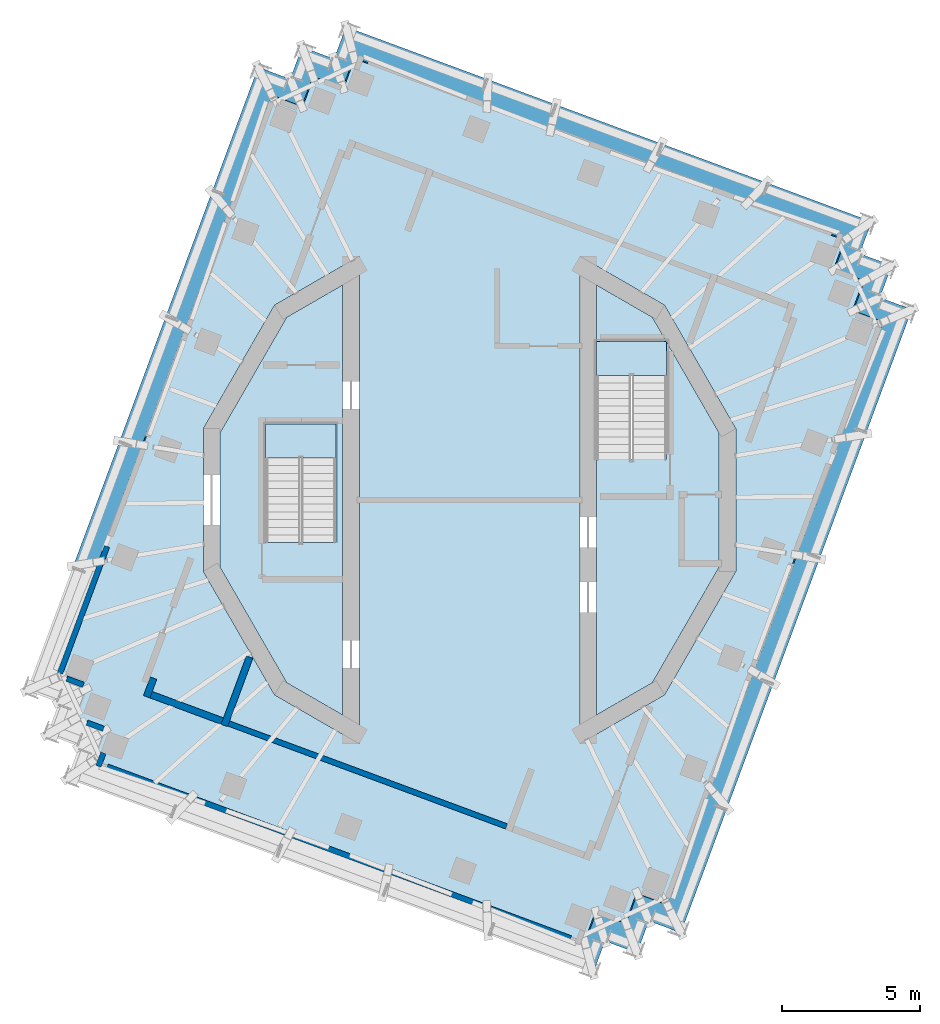
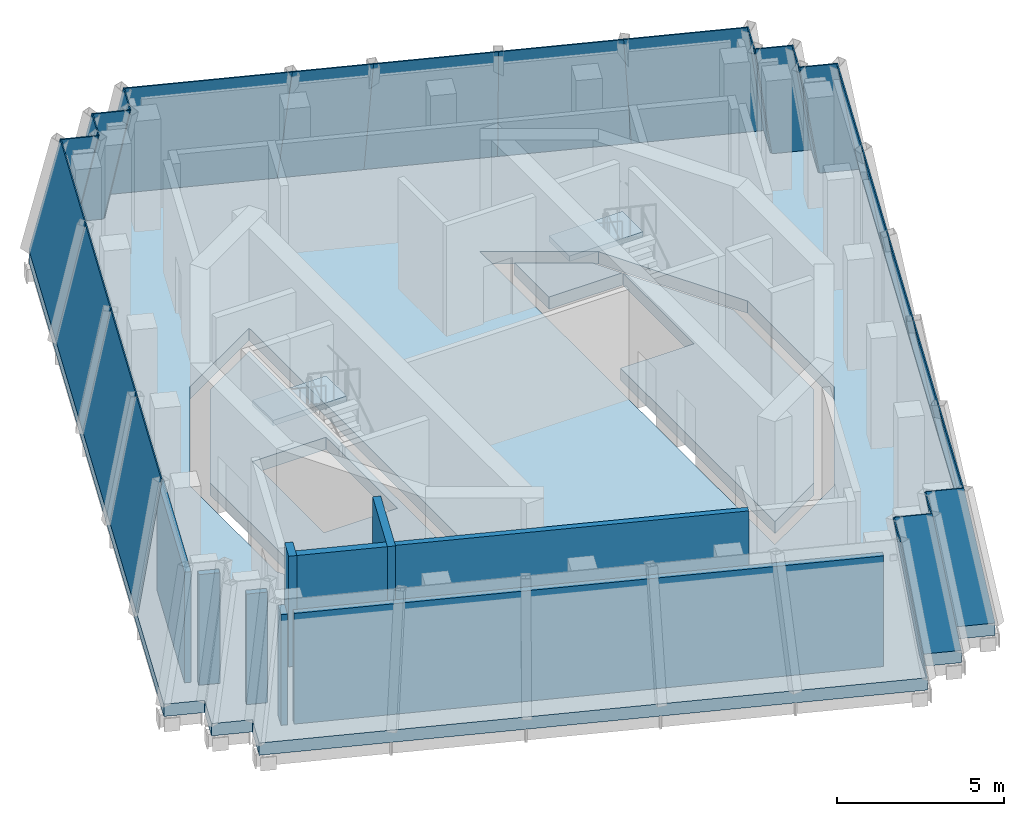
# One storey, part 4 of 12: 26 plates, 9 walls, 6 slabs, 28 elements without a shape of their own.
"""IFC4 building model written with IfcOpenShell, lengths in metres."""

from ifc_helpers import new_model, si_unit, direction, frame, frame_2d, origin, place, context, subcontext, project, spatial, polyline, rectangle, outline, extrude, material, layer, layer_set, type_object, element, aggregate, save


model = new_model("IFC4")

# Units and contexts
model_context = context("Model", 3, precision=1e-05, world=origin(), true_north=direction((0.0, 1.0)))
body_context = subcontext(model_context, "Body", "Model", "MODEL_VIEW")
ifc_project = project(units=[si_unit("LENGTHUNIT", "METRE"), si_unit("AREAUNIT", "SQUARE_METRE"), si_unit("VOLUMEUNIT", "CUBIC_METRE"), si_unit("PLANEANGLEUNIT", "RADIAN"), si_unit("MASSUNIT", "GRAM", prefix="KILO")], contexts=[model_context])

# Site, building, storey
site_placement = place(None, origin())
site = spatial("IfcSite", under=ifc_project, at=site_placement, CompositionType="ELEMENT")
building_placement = place(site_placement, origin())
building = spatial("IfcBuilding", under=site, at=building_placement, Name="Cantera Rosa Tower", CompositionType="ELEMENT")
storey_placement = place(building_placement, frame((0.0, 0.0, 360.699951171875)))
storey = spatial("IfcBuildingStorey", under=building, at=storey_placement, Name="L81", CompositionType="ELEMENT", Elevation=360.699951171875)

# Curtain wall, plate
ifc_material_1 = material(Name="Aluminium frame with clear glass", Category="aluminium")
curtain_wall_type = type_object("IfcCurtainWallType", Name="CW4 CROWN GLAZING", PredefinedType="NOTDEFINED", material=ifc_material_1)
curtain_wall_1_placement = place(storey_placement, origin())
curtain_wall_1 = element("IfcCurtainWall", 1, at=curtain_wall_1_placement, inside=storey, type_object=curtain_wall_type, Name="CW4 L81-01", PredefinedType="NOTDEFINED")
ifc_material_2 = material(Name="Aluminium frame with clear glass", Category="aluminium")
ifc_layer_1 = layer(ifc_material_2, 0.0400390625)
ifc_layer_set_1 = layer_set([ifc_layer_1], Name="CW-PANEL CROWN 40")
plate_type = type_object("IfcPlateType", Name="CW-PANEL CROWN 40", PredefinedType="CURTAIN_PANEL", material=ifc_layer_set_1)
plate_1_placement = place(storey_placement, frame((14.58642578125, 10.099853515625, 0.0), z_axis=(0.34017104991, 0.917951760352, 0.204078961361), x_axis=(-0.937685706703, 0.347484554244, -2.581984e-06)))
plate_1 = element("IfcPlate", 2, at=plate_1_placement, type_object=plate_type, Name="CROWN GLAZING L81-01", PredefinedType="CURTAIN_PANEL", context=body_context, shape_type="SweptSolid", body=[
    extrude(outline(polyline([(0.0, 0.0), (4.067181764874689, 0.0), (4.460772613821797, 4.596752796866526), (0.6560777668289258, 4.596732034857907), (0.0, 0.0)])), origin(), (0.0, 0.0, -1.0), 0.0400390625),
])
aggregate(curtain_wall_1, [plate_1])

curtain_wall_2_placement = place(storey_placement, origin())
curtain_wall_2 = element("IfcCurtainWall", 3, at=curtain_wall_2_placement, inside=storey, type_object=curtain_wall_type, Name="CW4 L81-02", PredefinedType="NOTDEFINED")
plate_2_placement = place(storey_placement, frame((10.772705078125, 11.51318359375, 0.0), z_axis=(0.340197770796, 0.917941936836, 0.204078605794), x_axis=(-0.937676021887, 0.347510687559, 3.227998e-06)))
plate_2 = element("IfcPlate", 4, at=plate_2_placement, type_object=plate_type, Name="CROWN GLAZING L81-02", PredefinedType="CURTAIN_PANEL", context=body_context, shape_type="SweptSolid", body=[
    extrude(outline(polyline([(0.0, 0.0), (4.067181764691421, 5.551115123125783e-17), (4.198370532758749, 4.596726839894003), (0.39359084729623756, 4.596752796845725), (0.0, 0.0)])), origin(), (0.0, 0.0, -1.0), 0.0400390625),
])
aggregate(curtain_wall_2, [plate_2])

curtain_wall_3_placement = place(storey_placement, origin())
curtain_wall_3 = element("IfcCurtainWall", 5, at=curtain_wall_3_placement, inside=storey, type_object=curtain_wall_type, Name="CW4 L81-03", PredefinedType="NOTDEFINED")
plate_3_placement = place(storey_placement, frame((6.958984375, 12.926513671875, 0.0), z_axis=(0.34013583195, 0.917969015354, 0.204060046733), x_axis=(-0.937699793699, 0.347446538186, 7.00296e-07)))
plate_3 = element("IfcPlate", 6, at=plate_3_placement, type_object=plate_type, Name="CROWN GLAZING L81-03", PredefinedType="CURTAIN_PANEL", context=body_context, shape_type="SweptSolid", body=[
    extrude(outline(polyline([(0.0, 0.0), (4.067096933687429, 5.551115123125783e-17), (3.936165342631296, 4.596719701951504), (0.13124156592572633, 4.5967253331895), (0.0, 0.0)])), origin(), (0.0, 0.0, -1.0), 0.0400390625),
])
aggregate(curtain_wall_3, [plate_3])

curtain_wall_4_placement = place(storey_placement, origin())
curtain_wall_4 = element("IfcCurtainWall", 7, at=curtain_wall_4_placement, inside=storey, type_object=curtain_wall_type, Name="CW4 L81-04", PredefinedType="NOTDEFINED")
plate_4_placement = place(storey_placement, frame((3.145263671875, 14.339599609375, 0.0), z_axis=(0.340150266396, 0.91796092539, 0.20407237865), x_axis=(-0.937693526649, 0.347463451385, -5.72584e-06)))
plate_4 = element("IfcPlate", 8, at=plate_4_placement, type_object=plate_type, Name="CROWN GLAZING L81-04", PredefinedType="CURTAIN_PANEL", context=body_context, shape_type="SweptSolid", body=[
    extrude(outline(polyline([(0.0, 0.0), (2.6375032278931685, 2.7755575615628914e-17), (2.3361925035484066, 4.59674825241806), (-0.1309774271975954, 4.596718395565332), (0.0, 0.0)])), origin(), (0.0, 0.0, -1.0), 0.0400390625),
])
aggregate(curtain_wall_4, [plate_4])

curtain_wall_5_placement = place(storey_placement, origin())
curtain_wall_5 = element("IfcCurtainWall", 9, at=curtain_wall_5_placement, inside=storey, type_object=curtain_wall_type, Name="CW4 L81-05", PredefinedType="NOTDEFINED")
plate_5_placement = place(storey_placement, frame((0.672119140625, 15.256103515625, 0.0), z_axis=(0.340195194644, 0.917947453694, 0.204058084371), x_axis=(-0.937677667609, 0.347506246916, 4.71506e-06)))
plate_5 = element("IfcPlate", 10, at=plate_5_placement, type_object=plate_type, Name="CROWN GLAZING L81-05", PredefinedType="CURTAIN_PANEL", context=body_context, shape_type="SweptSolid", body=[
    extrude(outline(polyline([(0.0, 0.0), (5.497089226585359, 0.0), (4.840998048815104, 4.596697280859012), (-0.30130655633560105, 4.596748524464396), (0.0, 0.0)])), origin(), (0.0, 0.0, -1.0), 0.0400390625),
])
aggregate(curtain_wall_5, [plate_5])

curtain_wall_6_placement = place(storey_placement, origin())
curtain_wall_6 = element("IfcCurtainWall", 11, at=curtain_wall_6_placement, inside=storey, type_object=curtain_wall_type, Name="CW4 L81-06", PredefinedType="NOTDEFINED")
plate_6_placement = place(storey_placement, frame((-4.482421875, 17.166259765625, 0.0), z_axis=(-0.927887105105, 0.343818456561, 0.144271927649), x_axis=(-0.347453927762, -0.937697055595, -3.221777e-06)))
plate_6 = element("IfcPlate", 12, at=plate_6_placement, type_object=plate_type, Name="CROWN GLAZING L81-06", PredefinedType="CURTAIN_PANEL", context=body_context, shape_type="SweptSolid", body=[
    extrude(outline(polyline([(0.0, 0.0), (1.2401140767336585, 0.0), (2.0980532398571086, 4.547583213270778), (0.9378910048794739, 4.547575398356522), (0.0, 0.0)])), origin(), (0.0, 0.0, -1.0), 0.0400390625),
])
aggregate(curtain_wall_6, [plate_6])

curtain_wall_7_placement = place(storey_placement, origin())
curtain_wall_7 = element("IfcCurtainWall", 13, at=curtain_wall_7_placement, inside=storey, type_object=curtain_wall_type, Name="CW4 L81-07", PredefinedType="NOTDEFINED")
plate_7_placement = place(storey_placement, frame((-4.913330078125, 16.00341796875, 0.0), z_axis=(0.341337564024, 0.921091822359, 0.187292611093), x_axis=(-0.93768425949, 0.347488459376, -1.0237118e-05)))
plate_7 = element("IfcPlate", 14, at=plate_7_placement, type_object=plate_type, Name="CROWN GLAZING L81-07", PredefinedType="CURTAIN_PANEL", context=body_context, shape_type="SweptSolid", body=[
    extrude(outline(polyline([(0.0, 0.0), (1.2398851500222168, -1.3877787807814457e-17), (0.5039685713829214, 4.581071024146173), (-0.6561936617025602, 4.58104601196699), (0.0, 0.0)])), origin(), (0.0, 0.0, -1.0), 0.0400390625),
])
aggregate(curtain_wall_7, [plate_7])

curtain_wall_8_placement = place(storey_placement, origin())
curtain_wall_8 = element("IfcCurtainWall", 15, at=curtain_wall_8_placement, inside=storey, type_object=curtain_wall_type, Name="CW4 L81-08", PredefinedType="NOTDEFINED")
plate_8_placement = place(storey_placement, frame((-6.075927734375, 16.434326171875, 0.0), z_axis=(-0.925379701627, 0.342963769204, 0.161394736067), x_axis=(-0.347520272515, -0.937672469565, -3.232122e-06)))
plate_8 = element("IfcPlate", 16, at=plate_8_placement, type_object=plate_type, Name="CROWN GLAZING L81-08", PredefinedType="CURTAIN_PANEL", context=body_context, shape_type="SweptSolid", body=[
    extrude(outline(polyline([(0.0, 0.0), (1.2398851516256946, 0.0), (2.017961119456503, 4.559785618877156), (0.8580278133442975, 4.559777759331225), (0.0, 0.0)])), origin(), (0.0, 0.0, -1.0), 0.0400390625),
])
aggregate(curtain_wall_8, [plate_8])

curtain_wall_9_placement = place(storey_placement, origin())
curtain_wall_9 = element("IfcCurtainWall", 17, at=curtain_wall_9_placement, inside=storey, type_object=curtain_wall_type, Name="CW4 L81-09", PredefinedType="NOTDEFINED")
plate_9_placement = place(storey_placement, frame((-6.5068359375, 15.271728515625, 0.0), z_axis=(0.34231802755, 0.924008075535, 0.17037442402), x_axis=(-0.93771910796, 0.347394407371, 1.712479e-05)))
plate_9 = element("IfcPlate", 18, at=plate_9_placement, type_object=plate_type, Name="CROWN GLAZING L81-09", PredefinedType="CURTAIN_PANEL", context=body_context, shape_type="SweptSolid", body=[
    extrude(outline(polyline([(0.0, 0.0), (1.2400292592328963, -1.3877787807814457e-17), (0.4241649076985403, 4.566761545404045), (-0.7357683912597629, 4.566803254065095), (0.0, 0.0)])), origin(), (0.0, 0.0, -1.0), 0.0400390625),
])
aggregate(curtain_wall_9, [plate_9])

curtain_wall_10_placement = place(storey_placement, origin())
curtain_wall_10 = element("IfcCurtainWall", 19, at=curtain_wall_10_placement, inside=storey, type_object=curtain_wall_type, Name="CW4 L81-10", PredefinedType="NOTDEFINED")
plate_10_placement = place(storey_placement, frame((-7.669677734375, 15.702392578125, 0.0), z_axis=(-0.9226450312, 0.341890970509, 0.178428446963), x_axis=(-0.347466940781, -0.937692233659, -7.76854e-07)))
plate_10 = element("IfcPlate", 20, at=plate_10_placement, type_object=plate_type, Name="CROWN GLAZING L81-10", PredefinedType="CURTAIN_PANEL", context=body_context, shape_type="SweptSolid", body=[
    extrude(outline(polyline([(0.0, 0.0), (4.823497770805941, 0.0), (5.290217789247329, 4.5733938651404245), (0.7778699388486214, 4.573386494274798), (0.0, 0.0)])), origin(), (0.0, 0.0, -1.0), 0.0400390625),
])
aggregate(curtain_wall_10, [plate_10])

curtain_wall_11_placement = place(storey_placement, origin())
curtain_wall_11 = element("IfcCurtainWall", 21, at=curtain_wall_11_placement, inside=storey, type_object=curtain_wall_type, Name="CW4 L81-11", PredefinedType="NOTDEFINED")
plate_11_placement = place(storey_placement, frame((-9.345703125, 11.179443359375, 0.0), z_axis=(-0.922638956295, 0.341914450491, 0.178414867295), x_axis=(-0.347489202133, -0.937683984287, 3.527966e-06)))
plate_11 = element("IfcPlate", 22, at=plate_11_placement, type_object=plate_type, Name="CROWN GLAZING L81-11", PredefinedType="CURTAIN_PANEL", context=body_context, shape_type="SweptSolid", body=[
    extrude(outline(polyline([(0.0, 0.0), (4.823497769908643, 0.0), (4.979152701360298, 4.5733603904607225), (0.4667200165507431, 4.573393864386999), (0.0, 0.0)])), origin(), (0.0, 0.0, -1.0), 0.0400390625),
])
aggregate(curtain_wall_11, [plate_11])

curtain_wall_12_placement = place(storey_placement, origin())
curtain_wall_12 = element("IfcCurtainWall", 23, at=curtain_wall_12_placement, inside=storey, type_object=curtain_wall_type, Name="CW4 L81-12", PredefinedType="NOTDEFINED")
plate_12_placement = place(storey_placement, frame((-11.021728515625, 6.656494140625, 0.0), z_axis=(-0.922637694444, 0.34191398287, 0.178422288709), x_axis=(-0.347490618803, -0.937683459287, -4.80398e-06)))
plate_12 = element("IfcPlate", 24, at=plate_12_placement, type_object=plate_type, Name="CROWN GLAZING L81-12", PredefinedType="CURTAIN_PANEL", context=body_context, shape_type="SweptSolid", body=[
    extrude(outline(polyline([(0.0, 0.0), (4.823582606312564, -5.551115123125783e-17), (4.667964053425667, 4.573407288520632), (0.15561620507129365, 4.573361707504614), (0.0, 0.0)])), origin(), (0.0, 0.0, -1.0), 0.0400390625),
])
aggregate(curtain_wall_12, [plate_12])

curtain_wall_13_placement = place(storey_placement, origin())
curtain_wall_13 = element("IfcCurtainWall", 25, at=curtain_wall_13_placement, inside=storey, type_object=curtain_wall_type, Name="CW4 L81-13", PredefinedType="NOTDEFINED")
plate_13_placement = place(storey_placement, frame((-12.697998046875, 2.133544921875, 0.0), z_axis=(-0.922640964499, 0.341905659442, 0.178421329079), x_axis=(-0.347480427755, -0.937687235864, 5.020248e-06)))
plate_13 = element("IfcPlate", 26, at=plate_13_placement, type_object=plate_type, Name="CROWN GLAZING L81-13", PredefinedType="CURTAIN_PANEL", context=body_context, shape_type="SweptSolid", body=[
    extrude(outline(polyline([(0.0, 0.0), (4.8237266980927105, 0.0), (4.356867209696691, 4.57336145998571), (-0.15556547395244474, 4.573409094150232), (0.0, 0.0)])), origin(), (0.0, 0.0, -1.0), 0.0400390625),
])
aggregate(curtain_wall_13, [plate_13])

curtain_wall_14_placement = place(storey_placement, origin())
curtain_wall_14 = element("IfcCurtainWall", 27, at=curtain_wall_14_placement, inside=storey, type_object=curtain_wall_type, Name="CW4 L81-24", PredefinedType="NOTDEFINED")
plate_14_placement = place(storey_placement, frame((4.482421875, -17.166259765625, 0.0), z_axis=(0.927887105105, -0.343818456561, 0.144271927649), x_axis=(0.347453927762, 0.937697055595, -3.221777e-06)))
plate_14 = element("IfcPlate", 28, at=plate_14_placement, type_object=plate_type, Name="CROWN GLAZING L81-24", PredefinedType="CURTAIN_PANEL", context=body_context, shape_type="SweptSolid", body=[
    extrude(outline(polyline([(0.0, 0.0), (1.2401140767336585, 0.0), (2.0980532398571086, 4.547583213270778), (0.9378910048794739, 4.547575398356522), (0.0, 0.0)])), origin(), (0.0, 0.0, -1.0), 0.0400390625),
])
aggregate(curtain_wall_14, [plate_14])

curtain_wall_15_placement = place(storey_placement, origin())
curtain_wall_15 = element("IfcCurtainWall", 29, at=curtain_wall_15_placement, inside=storey, type_object=curtain_wall_type, Name="CW4 L81-25", PredefinedType="NOTDEFINED")
plate_15_placement = place(storey_placement, frame((4.913330078125, -16.00341796875, 0.0), z_axis=(-0.341337564024, -0.921091822359, 0.187292611093), x_axis=(0.93768425949, -0.347488459376, -1.0237118e-05)))
plate_15 = element("IfcPlate", 30, at=plate_15_placement, type_object=plate_type, Name="CROWN GLAZING L81-25", PredefinedType="CURTAIN_PANEL", context=body_context, shape_type="SweptSolid", body=[
    extrude(outline(polyline([(0.0, 0.0), (1.2398851500222168, -1.3877787807814457e-17), (0.5039685713829214, 4.581071024146173), (-0.6561936617025602, 4.58104601196699), (0.0, 0.0)])), origin(), (0.0, 0.0, -1.0), 0.0400390625),
])
aggregate(curtain_wall_15, [plate_15])

curtain_wall_16_placement = place(storey_placement, origin())
curtain_wall_16 = element("IfcCurtainWall", 31, at=curtain_wall_16_placement, inside=storey, type_object=curtain_wall_type, Name="CW4 L81-26", PredefinedType="NOTDEFINED")
plate_16_placement = place(storey_placement, frame((6.075927734375, -16.434326171875, 0.0), z_axis=(0.925379701627, -0.342963769204, 0.161394736067), x_axis=(0.347520272515, 0.937672469565, -3.232122e-06)))
plate_16 = element("IfcPlate", 32, at=plate_16_placement, type_object=plate_type, Name="CROWN GLAZING L81-26", PredefinedType="CURTAIN_PANEL", context=body_context, shape_type="SweptSolid", body=[
    extrude(outline(polyline([(0.0, 0.0), (1.2398851516256946, 0.0), (2.017961119456503, 4.559785618877156), (0.8580278133442975, 4.559777759331225), (0.0, 0.0)])), origin(), (0.0, 0.0, -1.0), 0.0400390625),
])
aggregate(curtain_wall_16, [plate_16])

curtain_wall_17_placement = place(storey_placement, origin())
curtain_wall_17 = element("IfcCurtainWall", 33, at=curtain_wall_17_placement, inside=storey, type_object=curtain_wall_type, Name="CW4 L81-27", PredefinedType="NOTDEFINED")
plate_17_placement = place(storey_placement, frame((6.5068359375, -15.271728515625, 0.0), z_axis=(-0.34231802755, -0.924008075535, 0.17037442402), x_axis=(0.93771910796, -0.347394407371, 1.712479e-05)))
plate_17 = element("IfcPlate", 34, at=plate_17_placement, type_object=plate_type, Name="CROWN GLAZING L81-27", PredefinedType="CURTAIN_PANEL", context=body_context, shape_type="SweptSolid", body=[
    extrude(outline(polyline([(0.0, 0.0), (1.2400292592328963, -1.3877787807814457e-17), (0.4241649076985403, 4.566761545404045), (-0.7357683912597629, 4.566803254065095), (0.0, 0.0)])), origin(), (0.0, 0.0, -1.0), 0.0400390625),
])
aggregate(curtain_wall_17, [plate_17])

curtain_wall_18_placement = place(storey_placement, origin())
curtain_wall_18 = element("IfcCurtainWall", 35, at=curtain_wall_18_placement, inside=storey, type_object=curtain_wall_type, Name="CW4 L81-28", PredefinedType="NOTDEFINED")
plate_18_placement = place(storey_placement, frame((7.669677734375, -15.702392578125, 0.0), z_axis=(0.9226450312, -0.341890970509, 0.178428446963), x_axis=(0.347466940781, 0.937692233659, -7.76854e-07)))
plate_18 = element("IfcPlate", 36, at=plate_18_placement, type_object=plate_type, Name="CROWN GLAZING L81-28", PredefinedType="CURTAIN_PANEL", context=body_context, shape_type="SweptSolid", body=[
    extrude(outline(polyline([(0.0, 0.0), (4.823497770805941, 0.0), (5.290217789247329, 4.5733938651404245), (0.7778699388486214, 4.573386494274798), (0.0, 0.0)])), origin(), (0.0, 0.0, -1.0), 0.0400390625),
])
aggregate(curtain_wall_18, [plate_18])

curtain_wall_19_placement = place(storey_placement, origin())
curtain_wall_19 = element("IfcCurtainWall", 37, at=curtain_wall_19_placement, inside=storey, type_object=curtain_wall_type, Name="CW4 L81-29", PredefinedType="NOTDEFINED")
plate_19_placement = place(storey_placement, frame((9.345703125, -11.179443359375, 0.0), z_axis=(0.922638956295, -0.341914450491, 0.178414867295), x_axis=(0.347489202133, 0.937683984287, 3.527966e-06)))
plate_19 = element("IfcPlate", 38, at=plate_19_placement, type_object=plate_type, Name="CROWN GLAZING L81-29", PredefinedType="CURTAIN_PANEL", context=body_context, shape_type="SweptSolid", body=[
    extrude(outline(polyline([(0.0, 0.0), (4.823497769908643, 0.0), (4.979152701360298, 4.5733603904607225), (0.4667200165507431, 4.573393864386999), (0.0, 0.0)])), origin(), (0.0, 0.0, -1.0), 0.0400390625),
])
aggregate(curtain_wall_19, [plate_19])

curtain_wall_20_placement = place(storey_placement, origin())
curtain_wall_20 = element("IfcCurtainWall", 39, at=curtain_wall_20_placement, inside=storey, type_object=curtain_wall_type, Name="CW4 L81-30", PredefinedType="NOTDEFINED")
plate_20_placement = place(storey_placement, frame((11.021728515625, -6.656494140625, 0.0), z_axis=(0.922637694444, -0.34191398287, 0.178422288709), x_axis=(0.347490618803, 0.937683459287, -4.80398e-06)))
plate_20 = element("IfcPlate", 40, at=plate_20_placement, type_object=plate_type, Name="CROWN GLAZING L81-30", PredefinedType="CURTAIN_PANEL", context=body_context, shape_type="SweptSolid", body=[
    extrude(outline(polyline([(0.0, 0.0), (4.823582606312564, -5.551115123125783e-17), (4.667964053425667, 4.573407288520632), (0.15561620507129365, 4.573361707504614), (0.0, 0.0)])), origin(), (0.0, 0.0, -1.0), 0.0400390625),
])
aggregate(curtain_wall_20, [plate_20])

curtain_wall_21_placement = place(storey_placement, origin())
curtain_wall_21 = element("IfcCurtainWall", 41, at=curtain_wall_21_placement, inside=storey, type_object=curtain_wall_type, Name="CW4 L81-31", PredefinedType="NOTDEFINED")
plate_21_placement = place(storey_placement, frame((12.697998046875, -2.133544921875, 0.0), z_axis=(0.922640964499, -0.341905659442, 0.178421329079), x_axis=(0.347480427755, 0.937687235864, 5.020248e-06)))
plate_21 = element("IfcPlate", 42, at=plate_21_placement, type_object=plate_type, Name="CROWN GLAZING L81-31", PredefinedType="CURTAIN_PANEL", context=body_context, shape_type="SweptSolid", body=[
    extrude(outline(polyline([(0.0, 0.0), (4.8237266980927105, 0.0), (4.356867209696691, 4.57336145998571), (-0.15556547395244474, 4.573409094150232), (0.0, 0.0)])), origin(), (0.0, 0.0, -1.0), 0.0400390625),
])
aggregate(curtain_wall_21, [plate_21])

curtain_wall_22_placement = place(storey_placement, origin())
curtain_wall_22 = element("IfcCurtainWall", 43, at=curtain_wall_22_placement, inside=storey, type_object=curtain_wall_type, Name="CW4 L81-32", PredefinedType="NOTDEFINED")
plate_22_placement = place(storey_placement, frame((14.3740234375, 2.3896484375, 0.0), z_axis=(0.92265017875, -0.341892877961, 0.17839817166), x_axis=(0.347466940736, 0.937692233675, -7.76726e-07)))
plate_22 = element("IfcPlate", 44, at=plate_22_placement, type_object=plate_type, Name="CROWN GLAZING L81-32", PredefinedType="CURTAIN_PANEL", context=body_context, shape_type="SweptSolid", body=[
    extrude(outline(polyline([(0.0, 0.0), (4.823497770805941, 0.0), (4.045474010259164, 4.573367366483966), (-0.46687384013954547, 4.57335999686901), (0.0, 0.0)])), origin(), (0.0, 0.0, -1.0), 0.0400390625),
])
aggregate(curtain_wall_22, [plate_22])

curtain_wall_23_placement = place(storey_placement, origin())
curtain_wall_23 = element("IfcCurtainWall", 45, at=curtain_wall_23_placement, inside=storey, type_object=curtain_wall_type, Name="CW4 L81-33", PredefinedType="NOTDEFINED")
plate_23_placement = place(storey_placement, frame((16.050048828125, 6.91259765625, 0.0), z_axis=(0.342438434957, 0.923962252633, 0.170380967168), x_axis=(-0.93767244854, 0.347520329243, -3.406856e-06)))
plate_23 = element("IfcPlate", 46, at=plate_23_placement, type_object=plate_type, Name="CROWN GLAZING L81-33", PredefinedType="CURTAIN_PANEL", context=body_context, shape_type="SweptSolid", body=[
    extrude(outline(polyline([(0.0, 0.0), (1.2398851516264557, 0.0), (1.9757747166480295, 4.5667809905860635), (0.8158414105380581, 4.566772693431708), (0.0, 0.0)])), origin(), (0.0, 0.0, -1.0), 0.0400390625),
])
aggregate(curtain_wall_23, [plate_23])

curtain_wall_24_placement = place(storey_placement, origin())
curtain_wall_24 = element("IfcCurtainWall", 47, at=curtain_wall_24_placement, inside=storey, type_object=curtain_wall_type, Name="CW4 L81-34", PredefinedType="NOTDEFINED")
plate_24_placement = place(storey_placement, frame((14.887451171875, 7.343505859375, 0.0), z_axis=(0.92540184814, -0.342897571672, 0.161408409942), x_axis=(0.347454038611, 0.93769701452, -3.594803e-06)))
plate_24 = element("IfcPlate", 48, at=plate_24_placement, type_object=plate_type, Name="CROWN GLAZING L81-34", PredefinedType="CURTAIN_PANEL", context=body_context, shape_type="SweptSolid", body=[
    extrude(outline(polyline([(0.0, 0.0), (1.2401140767353125, 0.0), (0.3820810942305439, 4.559790734240305), (-0.7780811407422352, 4.559781991077968), (0.0, 0.0)])), origin(), (0.0, 0.0, -1.0), 0.0400390625),
])
aggregate(curtain_wall_24, [plate_24])

curtain_wall_25_placement = place(storey_placement, origin())
curtain_wall_25 = element("IfcCurtainWall", 49, at=curtain_wall_25_placement, inside=storey, type_object=curtain_wall_type, Name="CW4 L81-35", PredefinedType="NOTDEFINED")
plate_25_placement = place(storey_placement, frame((15.318359375, 8.50634765625, 0.0), z_axis=(0.341219053222, 0.921141567102, 0.187263907561), x_axis=(-0.937731166642, 0.347361855933, 1.2263616e-05)))
plate_25 = element("IfcPlate", 50, at=plate_25_placement, type_object=plate_type, Name="CROWN GLAZING L81-35", PredefinedType="CURTAIN_PANEL", context=body_context, shape_type="SweptSolid", body=[
    extrude(outline(polyline([(0.0, 0.0), (1.2400292628377025, 0.0), (1.8963175918244304, 4.58101657684383), (0.7361553597190577, 4.5810465419655815), (0.0, 0.0)])), origin(), (0.0, 0.0, -1.0), 0.0400390625),
])
aggregate(curtain_wall_25, [plate_25])

curtain_wall_26_placement = place(storey_placement, origin())
curtain_wall_26 = element("IfcCurtainWall", 51, at=curtain_wall_26_placement, inside=storey, type_object=curtain_wall_type, Name="CW4 L81-36", PredefinedType="NOTDEFINED")
plate_26_placement = place(storey_placement, frame((14.155517578125, 8.93701171875, 0.0), z_axis=(0.927874495005, -0.343851082115, 0.14427527455), x_axis=(0.34748637977, 0.937685030205, 1.824079e-06)))
plate_26 = element("IfcPlate", 52, at=plate_26_placement, type_object=plate_type, Name="CROWN GLAZING L81-36", PredefinedType="CURTAIN_PANEL", context=body_context, shape_type="SweptSolid", body=[
    extrude(outline(polyline([(0.0, 0.0), (1.2401140769437582, 0.0), (0.3020750832391269, 4.5475780680608215), (-0.8578582230510681, 4.547582492223165), (0.0, 0.0)])), origin(), (0.0, 0.0, -1.0), 0.0400390625),
])
aggregate(curtain_wall_26, [plate_26])

# Slabs
ifc_material_3 = material(Name="Concrete C50/60", Category="concrete")
ifc_layer_2 = layer(ifc_material_3, 0.449951171875)
ifc_layer_set_2 = layer_set([ifc_layer_2], Name="RC CROWN PLATE 450 C50/60")
slab_type_1 = type_object("IfcSlabType", Name="RC CROWN PLATE 450 C50/60", PredefinedType="FLOOR", material=ifc_layer_set_2)
slab_1_placement = place(storey_placement, frame((0.0, 0.0, -0.449951171875)))
element("IfcSlab", 53, at=slab_1_placement, inside=storey, type_object=slab_type_1, Name="SLAB L81 floor 1", PredefinedType="FLOOR", context=body_context, shape_type="SweptSolid", body=[
    extrude(outline(polyline([(-4.60009765625, -7.804931640625), (-6.6318359375, -6.6318359375), (-9.059326171875, -2.427490234375), (-9.059326171875, 2.427490234375), (-6.6318359375, 6.6318359375), (-4.60009765625, 7.804931640625), (-4.60009765625, -7.804931640625)]), holes=[polyline([(-7.39990234375, 2.75), (-7.39990234375, -1.5380859375), (-4.85009765625, -1.5380859375), (-4.85009765625, 2.75), (-7.39990234375, 2.75)])]), origin(), (0.0, 0.0, 1.0), 0.449951171875),
])
slab_2_placement = place(storey_placement, frame((0.0, 0.0, -0.449951171875)))
element("IfcSlab", 54, at=slab_2_placement, inside=storey, type_object=slab_type_1, Name="SLAB L81 floor 2", PredefinedType="FLOOR", context=body_context, shape_type="SweptSolid", body=[
    extrude(outline(polyline([(15.318359375, 8.506103515625), (14.887451171875, 7.343505859375), (16.050048828125, 6.91259765625), (7.669677734375, -15.702392578125), (6.5068359375, -15.271484375), (6.075927734375, -16.434326171875), (4.9130859375, -16.00341796875), (4.482421875, -17.166259765625), (-14.58642578125, -10.099853515625), (-14.155517578125, -8.93701171875), (-15.318359375, -8.506103515625), (-14.887451171875, -7.343505859375), (-16.050048828125, -6.91259765625), (-7.669677734375, 15.702392578125), (-6.5068359375, 15.271484375), (-6.075927734375, 16.434326171875), (-4.9130859375, 16.00341796875), (-4.482421875, 17.166259765625), (14.58642578125, 10.099853515625), (14.155517578125, 8.93701171875), (15.318359375, 8.506103515625)]), holes=[polyline([(-9.6591796875, -2.588134765625), (-7.071044921875, -7.071044921875), (-4.0, -8.843994140625), (-4.0, 8.843994140625), (-7.071044921875, 7.071044921875), (-9.6591796875, 2.588134765625), (-9.6591796875, -2.588134765625)]), polyline([(9.6591796875, 2.588134765625), (7.071044921875, 7.071044921875), (4.0, 8.843994140625), (4.0, -8.843994140625), (7.071044921875, -7.071044921875), (9.6591796875, -2.588134765625), (9.6591796875, 2.588134765625)])]), origin(), (0.0, 0.0, 1.0), 0.449951171875),
])
slab_3_placement = place(storey_placement, frame((0.0, 0.0, -0.449951171875)))
element("IfcSlab", 55, at=slab_3_placement, inside=storey, type_object=slab_type_1, Name="SLAB L81 floor 3", PredefinedType="FLOOR", context=body_context, shape_type="SweptSolid", body=[
    extrude(outline(polyline([(4.60009765625, 5.75), (4.60009765625, 7.804931640625), (6.6318359375, 6.6318359375), (7.14111328125, 5.75), (4.60009765625, 5.75)])), origin(), (0.0, 0.0, 1.0), 0.449951171875),
])
slab_4_placement = place(storey_placement, frame((0.0, 0.0, -0.449951171875)))
element("IfcSlab", 56, at=slab_4_placement, inside=storey, type_object=slab_type_1, Name="SLAB L81 floor 4", PredefinedType="FLOOR", context=body_context, shape_type="SweptSolid", body=[
    extrude(outline(polyline([(4.60009765625, 1.4619140625), (7.14990234375, 1.4619140625), (7.14990234375, 5.734375), (9.059326171875, 2.427490234375), (9.059326171875, -2.427490234375), (6.6318359375, -6.6318359375), (4.60009765625, -7.804931640625), (4.60009765625, 1.4619140625)])), origin(), (0.0, 0.0, 1.0), 0.449951171875),
])

# Stair, slab
ifc_material_4 = material(Name="Concrete C35/45", Category="concrete")
stair_type = type_object("IfcStairType", Name="EXIT STAIR 1200 DOGLEG", PredefinedType="HALF_TURN_STAIR", material=ifc_material_4)
stair_1_placement = place(storey_placement, origin())
stair_1 = element("IfcStair", 57, at=stair_1_placement, inside=storey, type_object=stair_type, Name="L81 ST-71", PredefinedType="HALF_TURN_STAIR")
ifc_material_5 = material(Name="Concrete C35/45", Category="concrete")
ifc_layer_3 = layer(ifc_material_5, 0.199951171875)
ifc_layer_set_3 = layer_set([ifc_layer_3], Name="STAIR LANDING 200")
slab_type_2 = type_object("IfcSlabType", Name="STAIR LANDING 200", PredefinedType="LANDING", material=ifc_layer_set_3)
slab_5_placement = place(storey_placement, frame((0.0, 0.0, 2.050048828125)))
slab_5 = element("IfcSlab", 58, at=slab_5_placement, type_object=slab_type_2, Name="ST-71 landing 1", PredefinedType="LANDING", context=body_context, shape_type="SweptSolid", body=[
    extrude(outline(polyline([(-4.85009765625, 1.51806640625), (-4.85009765625, 2.75), (-7.39990234375, 2.75), (-7.39990234375, 1.51806640625), (-4.85009765625, 1.51806640625)])), origin(), (0.0, 0.0, 1.0), 0.199951171875),
])
aggregate(stair_1, [slab_5])

stair_2_placement = place(storey_placement, origin())
stair_2 = element("IfcStair", 59, at=stair_2_placement, inside=storey, type_object=stair_type, Name="L81 ST-72", PredefinedType="HALF_TURN_STAIR")
slab_6_placement = place(storey_placement, frame((0.0, 0.0, 2.050048828125)))
slab_6 = element("IfcSlab", 60, at=slab_6_placement, type_object=slab_type_2, Name="ST-72 landing 1", PredefinedType="LANDING", context=body_context, shape_type="SweptSolid", body=[
    extrude(outline(polyline([(7.14990234375, 4.51806640625), (7.14990234375, 5.75), (4.60009765625, 5.75), (4.60009765625, 4.51806640625), (7.14990234375, 4.51806640625)])), origin(), (0.0, 0.0, 1.0), 0.199951171875),
])
aggregate(stair_2, [slab_6])

# Walls
ifc_material_6 = material(Name="Masonry blockwork", Category="masonry")
ifc_layer_4 = layer(ifc_material_6, 0.199951171875)
ifc_layer_set_4 = layer_set([ifc_layer_4], Name="Blockwork partition 200")
wall_type_1 = type_object("IfcWallType", Name="Blockwork partition 200", PredefinedType="PARTITIONING", material=ifc_layer_set_4)
wall_1_placement = place(storey_placement, frame((1.34326171875, -11.84375, 0.0), z_axis=(0.0, 0.0, 1.0), x_axis=(-0.93768847637, 0.347477080228, 0.0)))
element("IfcWall", 61, at=wall_1_placement, inside=storey, type_object=wall_type_1, Name="Partition L81-4", PredefinedType="PARTITIONING", context=body_context, shape_type="SweptSolid", body=[
    extrude(rectangle(XDim=10.75, YDim=0.199951171875, at=frame_2d((5.375, 0.0))), origin(), (0.0, 0.0, 1.0), 4.050048828125),
])
wall_2_placement = place(storey_placement, frame((3.669921875, -15.9052734375, 0.0), z_axis=(0.0, 0.0, 1.0), x_axis=(-0.937687008608, 0.347481041048, 0.0)))
element("IfcWall", 62, at=wall_2_placement, inside=storey, type_object=wall_type_1, Name="Partition L81-23", PredefinedType="PARTITIONING", context=body_context, shape_type="SweptSolid", body=[
    extrude(rectangle(XDim=17.93603515625, YDim=0.199951171875, at=frame_2d((8.968017578125, 0.0))), origin(), (0.0, 0.0, 1.0), 4.050048828125),
])
wall_3_placement = place(storey_placement, frame((-13.464599609375, -9.662353515625, 0.0), z_axis=(0.0, 0.0, 1.0), x_axis=(0.347391322771, 0.937720250855, 0.0)))
element("IfcWall", 63, at=wall_3_placement, inside=storey, type_object=wall_type_1, Name="Partition L81-24", PredefinedType="PARTITIONING", context=body_context, shape_type="SweptSolid", body=[
    extrude(rectangle(XDim=0.5166015625, YDim=0.199951171875, at=frame_2d((0.25830078125, 0.0))), origin(), (0.0, 0.0, 1.0), 4.050048828125),
])
for number, where, z_axis, x_axis, name in (
    (64, (-13.2802734375, -8.3017578125, 0.0), (0.0, 0.0, 1.0), (-0.937670508839, 0.347525562877, 0.0), "Partition L81-27"),
    (65, (-14.01220703125, -6.7080078125, 0.0), (0.0, 0.0, 1.0), (-0.937670508839, 0.347525562877, 0.0), "Partition L81-29"),
):
    element("IfcWall", number, at=place(storey_placement, frame(where, z_axis=z_axis, x_axis=x_axis)), inside=storey, type_object=wall_type_1, Name=name, PredefinedType="PARTITIONING", context=body_context, shape_type="SweptSolid", body=[
        extrude(rectangle(XDim=0.639892578125, YDim=0.199951171875, at=frame_2d((0.31982421875, 0.0))), origin(), (0.0, 0.0, 1.0), 4.050048828125),
    ])
wall_4_placement = place(storey_placement, frame((-14.858642578125, -6.28759765625, 0.0), z_axis=(0.0, 0.0, 1.0), x_axis=(0.347466711058, 0.937692318784, 0.0)))
element("IfcWall", 66, at=wall_4_placement, inside=storey, type_object=wall_type_1, Name="Partition L81-30", PredefinedType="PARTITIONING", context=body_context, shape_type="SweptSolid", body=[
    extrude(rectangle(XDim=4.90576171875, YDim=0.199951171875, at=frame_2d((2.452880859375, 0.0))), origin(), (0.0, 0.0, 1.0), 4.050048828125),
])
ifc_material_7 = material(Name="Masonry blockwork", Category="masonry")
ifc_layer_5 = layer(ifc_material_7, 0.25)
ifc_layer_set_5 = layer_set([ifc_layer_5], Name="Fire-rated external wall 250")
wall_type_2 = type_object("IfcWallType", Name="Fire-rated external wall 250", PredefinedType="PARTITIONING", material=ifc_layer_set_5)
wall_5_placement = place(storey_placement, frame((-8.897705078125, -8.18212890625, 0.0), z_axis=(0.0, 0.0, 1.0), x_axis=(0.347542652959, 0.937664174624, 0.0)))
element("IfcWall", 67, at=wall_5_placement, inside=storey, type_object=wall_type_2, Name="Fire wall L81-1", PredefinedType="PARTITIONING", context=body_context, shape_type="SweptSolid", body=[
    extrude(rectangle(XDim=2.64697265625, YDim=0.25, at=frame_2d((1.323486328125, 0.0))), origin(), (0.0, 0.0, 1.0), 4.050048828125),
])
ifc_material_8 = material(Name="Masonry blockwork", Category="masonry")
ifc_layer_6 = layer(ifc_material_8, 0.25)
ifc_layer_set_6 = layer_set([ifc_layer_6], Name="Fire-rated wall 250")
wall_type_3 = type_object("IfcWallType", Name="Fire-rated wall 250", PredefinedType="PARTITIONING", material=ifc_layer_set_6)
wall_6_placement = place(storey_placement, frame((-8.97119140625, -8.021484375, 0.0), z_axis=(0.0, 0.0, 1.0), x_axis=(-0.937692064281, 0.347467397874, 0.0)))
element("IfcWall", 68, at=wall_6_placement, inside=storey, type_object=wall_type_3, Name="Fire wall L81-5", PredefinedType="PARTITIONING", context=body_context, shape_type="SweptSolid", body=[
    extrude(rectangle(XDim=2.753662109375, YDim=0.25, at=frame_2d((1.376953125, 0.0))), origin(), (0.0, 0.0, 1.0), 4.050048828125),
])
wall_7_placement = place(storey_placement, frame((-11.7138671875, -7.138427734375, 0.0), z_axis=(0.0, 0.0, 1.0), x_axis=(0.347325413636, 0.937744665164, 0.0)))
element("IfcWall", 69, at=wall_7_placement, inside=storey, type_object=wall_type_3, Name="Fire wall L81-6", PredefinedType="PARTITIONING", context=body_context, shape_type="SweptSolid", body=[
    extrude(rectangle(XDim=0.718994140625, YDim=0.25, at=frame_2d((0.359375, 0.0))), origin(), (0.0, 0.0, 1.0), 4.050048828125),
])

save(model, "model.ifc")
